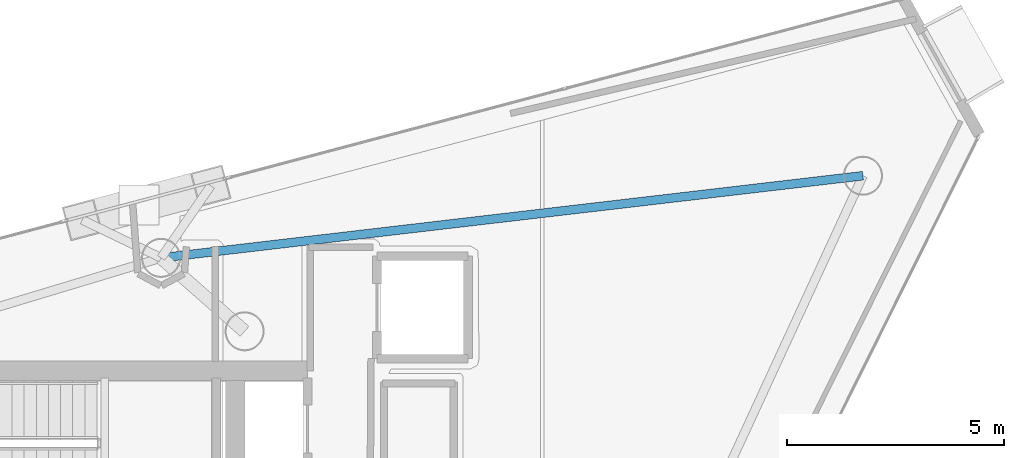
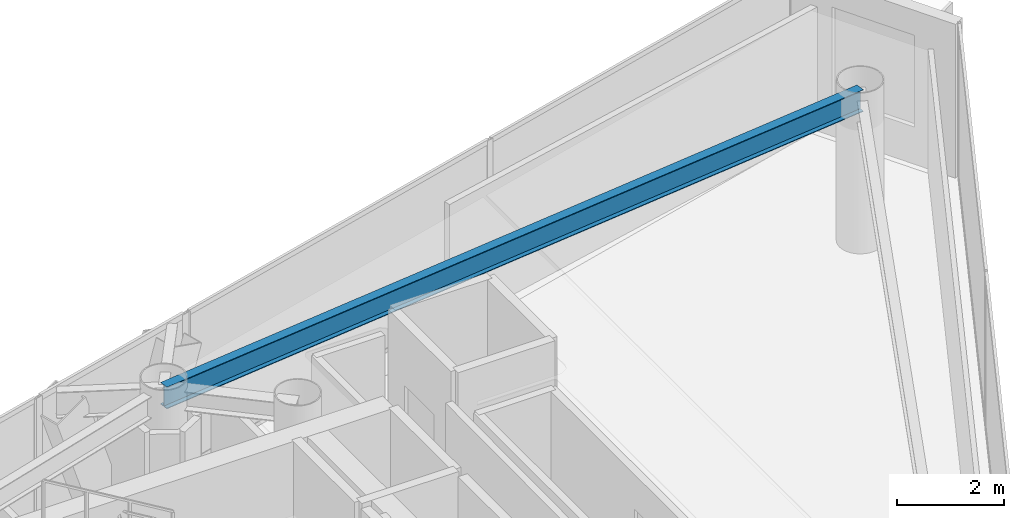
# One storey, part 14 of 23: 1 beam.
"""IFC4 building model written with IfcOpenShell, lengths in metres."""

from ifc_helpers import new_model, si_unit, direction, frame, origin, origin_2d, place, context, subcontext, project, spatial, i_section, extrude, material, material_profile, profile_set, type_object, element, save


model = new_model("IFC4")

# Units and contexts
model_context = context("Model", 3, precision=1e-05, world=origin(), true_north=direction((0.0, 1.0)))
body_context = subcontext(model_context, "Body", "Model", "MODEL_VIEW")
ifc_project = project(units=[si_unit("LENGTHUNIT", "METRE"), si_unit("AREAUNIT", "SQUARE_METRE"), si_unit("VOLUMEUNIT", "CUBIC_METRE"), si_unit("PLANEANGLEUNIT", "RADIAN"), si_unit("MASSUNIT", "GRAM", prefix="KILO")], contexts=[model_context])

# Site, building, storey
site_placement = place(None, origin())
site = spatial("IfcSite", under=ifc_project, at=site_placement, CompositionType="ELEMENT")
building_placement = place(site_placement, origin())
building = spatial("IfcBuilding", under=site, at=building_placement, Name="Qianvela Tower", CompositionType="ELEMENT")
storey_placement = place(building_placement, frame((0.0, 0.0, 313.89990234375)))
storey = spatial("IfcBuildingStorey", under=building, at=storey_placement, Name="L81", CompositionType="ELEMENT", Elevation=313.89990234375)

# Beam
ifc_material = material(Name="Steel Q355B", Category="steel")
ifc_material_profile = material_profile(ifc_material, i_section(OverallWidth=0.199951171875, OverallDepth=0.5, WebThickness=0.010009765625, FlangeThickness=0.01611328125, at=origin_2d()), Name="HN500x200x10x16")
ifc_profile_set = profile_set([ifc_material_profile], Name="Steel Q355B")
beam_type = type_object("IfcBeamType", Name="BM-HN500-GIRD", PredefinedType="BEAM", material=ifc_profile_set)
beam_placement = place(storey_placement, frame((52.64794921875, 37.135009765625, 3.26806640625), z_axis=(-0.993225117092, -0.116206139153, 0.0), x_axis=(0.116206139153, -0.993225117092, 0.0)))
element("IfcBeam", 1, at=beam_placement, inside=storey, type_object=beam_type, Name="L81 Perimeter Ring Spandrel Girder 1", PredefinedType="BEAM", context=body_context, shape_type="SweptSolid", body=[
    extrude(i_section(OverallWidth=0.199951171875, OverallDepth=0.5, WebThickness=0.010009765625, FlangeThickness=0.01611328125, at=origin_2d()), origin(), (0.0, 0.0, 1.0), 16.2822265625),
])

save(model, "model.ifc")
